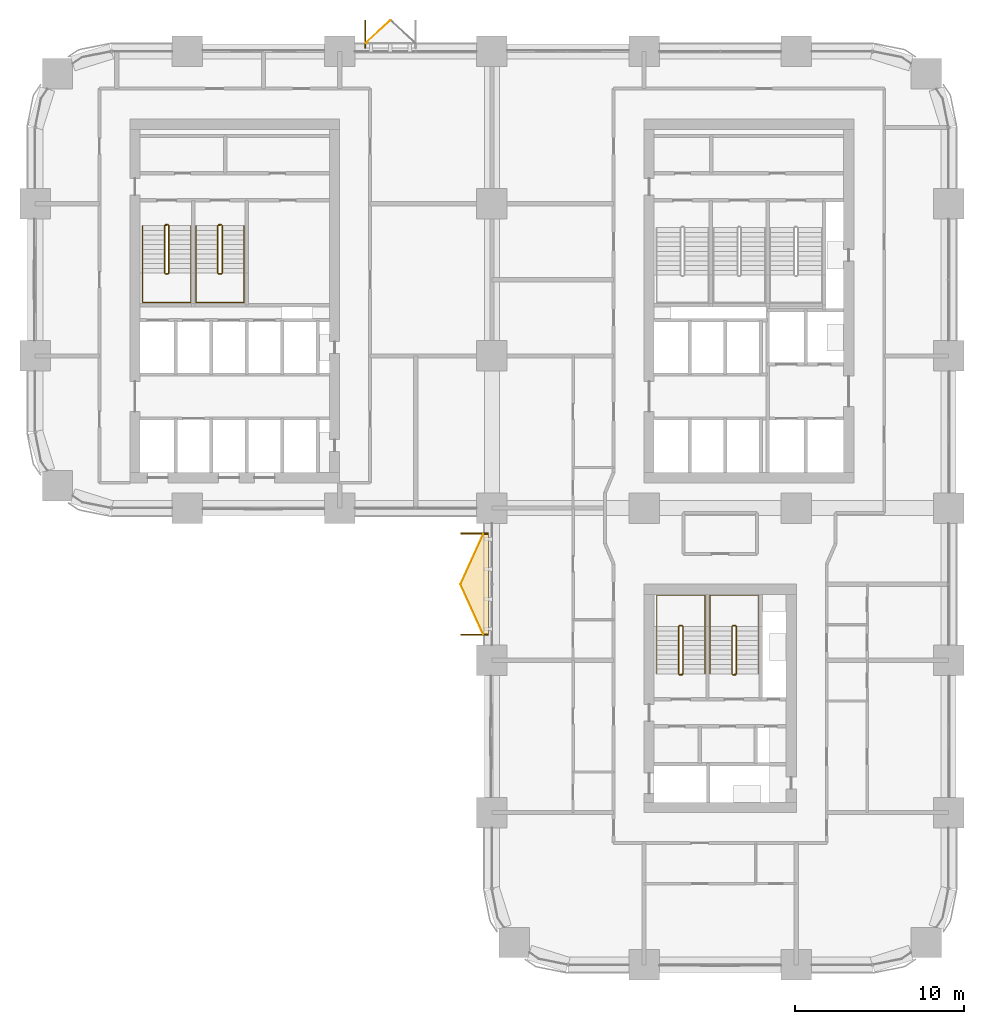
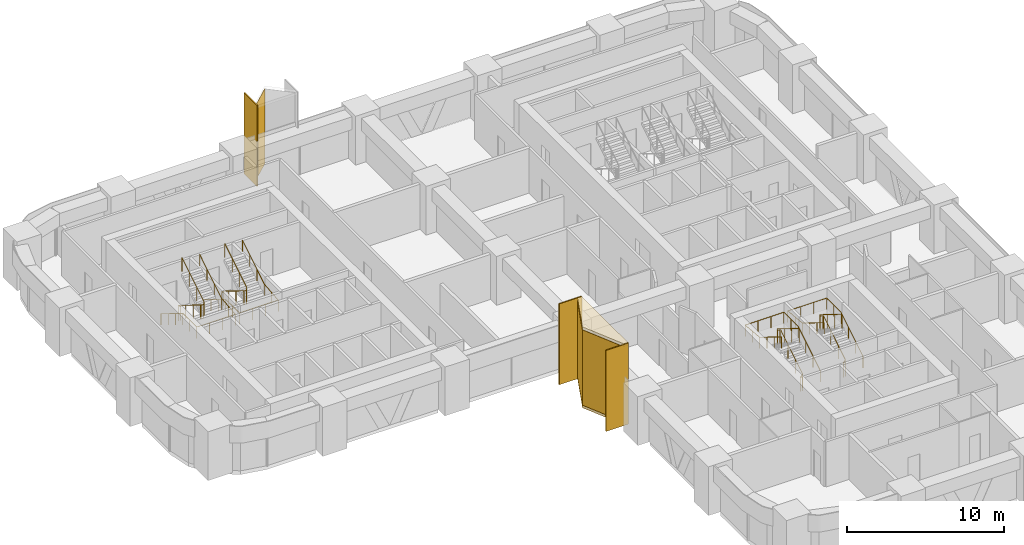
# One storey, part 17 of 18: 8 coverings, 8 railings.
"""IFC4 building model written with IfcOpenShell, lengths in metres."""

from ifc_helpers import new_model, si_unit, direction, frame, origin, origin_2d, place, context, subcontext, project, spatial, polyline, rectangle, circle, outline, extrude, material, layer, layer_set, type_object, element, save


model = new_model("IFC4")

# Units and contexts
model_context = context("Model", 3, precision=1e-05, world=origin(), true_north=direction((0.0, 1.0)))
body_context = subcontext(model_context, "Body", "Model", "MODEL_VIEW")
ifc_project = project(units=[si_unit("LENGTHUNIT", "METRE"), si_unit("AREAUNIT", "SQUARE_METRE"), si_unit("VOLUMEUNIT", "CUBIC_METRE"), si_unit("PLANEANGLEUNIT", "RADIAN"), si_unit("MASSUNIT", "GRAM", prefix="KILO")], contexts=[model_context])

# Site, building, storey
site_placement = place(None, origin())
site = spatial("IfcSite", under=ifc_project, at=site_placement, CompositionType="ELEMENT")
building_placement = place(site_placement, origin())
building = spatial("IfcBuilding", under=site, at=building_placement, Name="Tessera Arch", CompositionType="ELEMENT")
storey_placement = place(building_placement, frame((0.0, 0.0, 100.60009765625)))
storey = spatial("IfcBuildingStorey", under=building, at=storey_placement, Name="L23", CompositionType="ELEMENT", Elevation=100.60009765625)

# Railings
ifc_material_1 = material(Name="Painted steel balustrade", Category="steel")
railing_type_1 = type_object("IfcRailingType", Name="Stair guard 1100", PredefinedType="GUARDRAIL", material=ifc_material_1)
railing_1_placement = place(storey_placement, frame((7.699951171875, 43.75, 0.0)))
element("IfcRailing", 1, at=railing_1_placement, inside=storey, type_object=railing_type_1, Name="L23 S2a stair guard 1", PredefinedType="GUARDRAIL", context=body_context, shape_type="SweptSolid", body=[
    extrude(circle(Radius=0.02392578125, at=origin_2d()), frame((-0.00390625, 0.0, 1.076171875), z_axis=(1.0, 0.0, 0.0), x_axis=(0.0, 1.0, 0.0)), (0.0, 0.0, 1.0), 0.158203125),
    extrude(circle(Radius=0.02392578125, at=origin_2d()), frame((0.153076171875, 0.000732421875, 1.073486328125), z_axis=(-0.744141464035, -0.186035366009, 0.641595140332), x_axis=(0.242535625036, -0.970142500145, 0.0)), (0.0, 0.0, 1.0), 0.277099609375),
    extrude(circle(Radius=0.02392578125, at=origin_2d()), frame((-0.050048828125, -0.046630859375, 1.24658203125), z_axis=(0.0, -0.851089632645, 0.525020415988), x_axis=(1.0, 0.0, 0.0)), (0.0, 0.0, 1.0), 3.2978515625),
    extrude(circle(Radius=0.02392578125, at=origin_2d()), frame((-0.052978515625, -2.84716796875, 2.97607421875), z_axis=(0.708833529934, -0.705375805398, 0.0), x_axis=(0.705375805398, 0.708833529934, 0.0)), (0.0, 0.0, 1.0), 0.07861328125),
    extrude(circle(Radius=0.02392578125, at=origin_2d()), frame((-0.00390625, -2.89990234375, 2.97607421875), z_axis=(1.0, 0.0, 0.0), x_axis=(0.0, 1.0, 0.0)), (0.0, 0.0, 1.0), 0.158203125),
    extrude(circle(Radius=0.02392578125, at=origin_2d()), frame((0.149169921875, -2.90087890625, 2.97216796875), z_axis=(0.26715648603, 0.26715648603, 0.925880566782), x_axis=(-0.707106781187, 0.707106781187, 0.0)), (0.0, 0.0, 1.0), 0.1943359375),
    extrude(circle(Radius=0.02392578125, at=origin_2d()), frame((0.199951171875, -2.853515625, 3.146484375), z_axis=(0.0, 0.851089632645, 0.525020415988), x_axis=(-1.0, 0.0, 0.0)), (0.0, 0.0, 1.0), 3.2978515625),
    extrude(circle(Radius=0.02099609375, at=origin_2d()), origin(), (0.0, 0.0, 1.0), 1.06396484375),
    extrude(circle(Radius=0.02099609375, at=origin_2d()), frame((0.150146484375, 0.0, 0.0)), (0.0, 0.0, 1.0), 1.06396484375),
    extrude(circle(Radius=0.02099609375, at=origin_2d()), frame((-0.050048828125, -0.050048828125, 0.172607421875)), (0.0, 0.0, 1.0), 1.06396484375),
    extrude(circle(Radius=0.02099609375, at=origin_2d()), frame((-0.050048828125, -0.9833984375, 0.748291015625)), (0.0, 0.0, 1.0), 1.06396484375),
    extrude(circle(Radius=0.02099609375, at=origin_2d()), frame((-0.050048828125, -1.916748046875, 1.32421875)), (0.0, 0.0, 1.0), 1.06396484375),
    extrude(circle(Radius=0.02099609375, at=origin_2d()), frame((-0.050048828125, -2.85009765625, 1.89990234375)), (0.0, 0.0, 1.0), 1.06396484375),
    extrude(circle(Radius=0.02099609375, at=origin_2d()), frame((0.0, -2.89990234375, 1.89990234375)), (0.0, 0.0, 1.0), 1.06396484375),
    extrude(circle(Radius=0.02099609375, at=origin_2d()), frame((0.150146484375, -2.89990234375, 1.89990234375)), (0.0, 0.0, 1.0), 1.06396484375),
    extrude(circle(Radius=0.02099609375, at=origin_2d()), frame((0.199951171875, -2.85009765625, 2.072509765625)), (0.0, 0.0, 1.0), 1.06396484375),
    extrude(circle(Radius=0.02099609375, at=origin_2d()), frame((0.199951171875, -1.916748046875, 2.648193359375)), (0.0, 0.0, 1.0), 1.06396484375),
    extrude(circle(Radius=0.02099609375, at=origin_2d()), frame((0.199951171875, -0.9833984375, 3.22412109375)), (0.0, 0.0, 1.0), 1.06396484375),
    extrude(circle(Radius=0.02099609375, at=origin_2d()), frame((0.199951171875, -0.050048828125, 3.7998046875)), (0.0, 0.0, 1.0), 1.06396484375),
])
railing_2_placement = place(storey_placement, frame((10.85009765625, 43.75, 0.0)))
element("IfcRailing", 2, at=railing_2_placement, inside=storey, type_object=railing_type_1, Name="L23 S2b stair guard 1", PredefinedType="GUARDRAIL", context=body_context, shape_type="SweptSolid", body=[
    extrude(circle(Radius=0.02392578125, at=origin_2d()), frame((-0.00390625, 0.0, 1.076171875), z_axis=(1.0, 0.0, 0.0), x_axis=(0.0, 1.0, 0.0)), (0.0, 0.0, 1.0), 0.157958984375),
    extrude(circle(Radius=0.02392578125, at=origin_2d()), frame((0.15283203125, 0.000732421875, 1.073486328125), z_axis=(-0.743736083135, -0.18616104645, 0.642028584587), x_axis=(0.242814311512, -0.970072785993, 0.0)), (0.0, 0.0, 1.0), 0.27685546875),
    extrude(circle(Radius=0.02392578125, at=origin_2d()), frame((-0.050048828125, -0.046630859375, 1.24658203125), z_axis=(0.0, -0.851089632645, 0.525020415988), x_axis=(1.0, 0.0, 0.0)), (0.0, 0.0, 1.0), 3.2978515625),
    extrude(circle(Radius=0.02392578125, at=origin_2d()), frame((-0.052978515625, -2.84716796875, 2.97607421875), z_axis=(0.708833529934, -0.705375805398, 0.0), x_axis=(0.705375805398, 0.708833529934, 0.0)), (0.0, 0.0, 1.0), 0.07861328125),
    extrude(circle(Radius=0.02392578125, at=origin_2d()), frame((-0.00390625, -2.89990234375, 2.97607421875), z_axis=(1.0, 0.0, 0.0), x_axis=(0.0, 1.0, 0.0)), (0.0, 0.0, 1.0), 0.157958984375),
    extrude(circle(Radius=0.02392578125, at=origin_2d()), frame((0.14892578125, -2.90087890625, 2.97216796875), z_axis=(0.268371968888, 0.267062837333, 0.925556009775), x_axis=(-0.705375805398, 0.708833529934, 0.0)), (0.0, 0.0, 1.0), 0.194580078125),
    extrude(circle(Radius=0.02392578125, at=origin_2d()), frame((0.199951171875, -2.853515625, 3.146484375), z_axis=(0.0, 0.851089632645, 0.525020415988), x_axis=(-1.0, 0.0, 0.0)), (0.0, 0.0, 1.0), 3.2978515625),
    extrude(circle(Radius=0.02099609375, at=origin_2d()), origin(), (0.0, 0.0, 1.0), 1.06396484375),
    extrude(circle(Radius=0.02099609375, at=origin_2d()), frame((0.14990234375, 0.0, 0.0)), (0.0, 0.0, 1.0), 1.06396484375),
    extrude(circle(Radius=0.02099609375, at=origin_2d()), frame((-0.050048828125, -0.050048828125, 0.172607421875)), (0.0, 0.0, 1.0), 1.06396484375),
    extrude(circle(Radius=0.02099609375, at=origin_2d()), frame((-0.050048828125, -0.9833984375, 0.748291015625)), (0.0, 0.0, 1.0), 1.06396484375),
    extrude(circle(Radius=0.02099609375, at=origin_2d()), frame((-0.050048828125, -1.916748046875, 1.32421875)), (0.0, 0.0, 1.0), 1.06396484375),
    extrude(circle(Radius=0.02099609375, at=origin_2d()), frame((-0.050048828125, -2.85009765625, 1.89990234375)), (0.0, 0.0, 1.0), 1.06396484375),
    extrude(circle(Radius=0.02099609375, at=origin_2d()), frame((0.0, -2.89990234375, 1.89990234375)), (0.0, 0.0, 1.0), 1.06396484375),
    extrude(circle(Radius=0.02099609375, at=origin_2d()), frame((0.14990234375, -2.89990234375, 1.89990234375)), (0.0, 0.0, 1.0), 1.06396484375),
    extrude(circle(Radius=0.02099609375, at=origin_2d()), frame((0.199951171875, -2.85009765625, 2.072509765625)), (0.0, 0.0, 1.0), 1.06396484375),
    extrude(circle(Radius=0.02099609375, at=origin_2d()), frame((0.199951171875, -1.916748046875, 2.648193359375)), (0.0, 0.0, 1.0), 1.06396484375),
    extrude(circle(Radius=0.02099609375, at=origin_2d()), frame((0.199951171875, -0.9833984375, 3.22412109375)), (0.0, 0.0, 1.0), 1.06396484375),
    extrude(circle(Radius=0.02099609375, at=origin_2d()), frame((0.199951171875, -0.050048828125, 3.7998046875)), (0.0, 0.0, 1.0), 1.06396484375),
])
railing_3_placement = place(storey_placement, frame((38.25, 17.14990234375, 0.0)))
element("IfcRailing", 3, at=railing_3_placement, inside=storey, type_object=railing_type_1, Name="L23 S3a stair guard 1", PredefinedType="GUARDRAIL", context=body_context, shape_type="SweptSolid", body=[
    extrude(circle(Radius=0.02392578125, at=origin_2d()), frame((0.00390625, 0.0, 1.076171875), z_axis=(-1.0, 0.0, 0.0), x_axis=(0.0, -1.0, 0.0)), (0.0, 0.0, 1.0), 0.157958984375),
    extrude(circle(Radius=0.02392578125, at=origin_2d()), frame((-0.15283203125, -0.000732421875, 1.073486328125), z_axis=(0.743736083135, 0.18616104645, 0.642028584587), x_axis=(-0.242814311512, 0.970072785993, 0.0)), (0.0, 0.0, 1.0), 0.27685546875),
    extrude(circle(Radius=0.02392578125, at=origin_2d()), frame((0.050048828125, 0.046630859375, 1.24658203125), z_axis=(0.0, 0.851089632645, 0.525020415988), x_axis=(-1.0, 0.0, 0.0)), (0.0, 0.0, 1.0), 3.2978515625),
    extrude(circle(Radius=0.02392578125, at=origin_2d()), frame((0.052978515625, 2.84716796875, 2.97607421875), z_axis=(-0.707106781187, 0.707106781187, 0.0), x_axis=(-0.707106781187, -0.707106781187, 0.0)), (0.0, 0.0, 1.0), 0.078857421875),
    extrude(circle(Radius=0.02392578125, at=origin_2d()), frame((0.00390625, 2.900146484375, 2.97607421875), z_axis=(-1.0, 0.0, 0.0), x_axis=(0.0, -1.0, 0.0)), (0.0, 0.0, 1.0), 0.157958984375),
    extrude(circle(Radius=0.02392578125, at=origin_2d()), frame((-0.14892578125, 2.901123046875, 2.97216796875), z_axis=(-0.268277960024, -0.268277960024, 0.925231793839), x_axis=(0.707106781187, -0.707106781187, 0.0)), (0.0, 0.0, 1.0), 0.194580078125),
    extrude(circle(Radius=0.02392578125, at=origin_2d()), frame((-0.199951171875, 2.853515625, 3.146484375), z_axis=(0.0, -0.851089632645, 0.525020415988), x_axis=(1.0, 0.0, 0.0)), (0.0, 0.0, 1.0), 3.2978515625),
    extrude(circle(Radius=0.02099609375, at=origin_2d()), origin(), (0.0, 0.0, 1.0), 1.06396484375),
    extrude(circle(Radius=0.02099609375, at=origin_2d()), frame((-0.14990234375, 0.0, 0.0)), (0.0, 0.0, 1.0), 1.06396484375),
    extrude(circle(Radius=0.02099609375, at=origin_2d()), frame((0.050048828125, 0.050048828125, 0.172607421875)), (0.0, 0.0, 1.0), 1.06396484375),
    extrude(circle(Radius=0.02099609375, at=origin_2d()), frame((0.050048828125, 0.9833984375, 0.748291015625)), (0.0, 0.0, 1.0), 1.06396484375),
    extrude(circle(Radius=0.02099609375, at=origin_2d()), frame((0.050048828125, 1.916748046875, 1.32421875)), (0.0, 0.0, 1.0), 1.06396484375),
    extrude(circle(Radius=0.02099609375, at=origin_2d()), frame((0.050048828125, 2.85009765625, 1.89990234375)), (0.0, 0.0, 1.0), 1.06396484375),
    extrude(circle(Radius=0.02099609375, at=origin_2d()), frame((0.0, 2.900146484375, 1.89990234375)), (0.0, 0.0, 1.0), 1.06396484375),
    extrude(circle(Radius=0.02099609375, at=origin_2d()), frame((-0.14990234375, 2.900146484375, 1.89990234375)), (0.0, 0.0, 1.0), 1.06396484375),
    extrude(circle(Radius=0.02099609375, at=origin_2d()), frame((-0.199951171875, 2.85009765625, 2.072509765625)), (0.0, 0.0, 1.0), 1.06396484375),
    extrude(circle(Radius=0.02099609375, at=origin_2d()), frame((-0.199951171875, 1.916748046875, 2.648193359375)), (0.0, 0.0, 1.0), 1.06396484375),
    extrude(circle(Radius=0.02099609375, at=origin_2d()), frame((-0.199951171875, 0.9833984375, 3.22412109375)), (0.0, 0.0, 1.0), 1.06396484375),
    extrude(circle(Radius=0.02099609375, at=origin_2d()), frame((-0.199951171875, 0.050048828125, 3.7998046875)), (0.0, 0.0, 1.0), 1.06396484375),
])
railing_4_placement = place(storey_placement, frame((41.39990234375, 17.14990234375, 0.0)))
element("IfcRailing", 4, at=railing_4_placement, inside=storey, type_object=railing_type_1, Name="L23 S3b stair guard 1", PredefinedType="GUARDRAIL", context=body_context, shape_type="SweptSolid", body=[
    extrude(circle(Radius=0.02392578125, at=origin_2d()), frame((0.00390625, 0.0, 1.076171875), z_axis=(-1.0, 0.0, 0.0), x_axis=(0.0, -1.0, 0.0)), (0.0, 0.0, 1.0), 0.157958984375),
    extrude(circle(Radius=0.02392578125, at=origin_2d()), frame((-0.15283203125, -0.000732421875, 1.073486328125), z_axis=(0.743736083135, 0.18616104645, 0.642028584587), x_axis=(-0.242814311512, 0.970072785993, 0.0)), (0.0, 0.0, 1.0), 0.27685546875),
    extrude(circle(Radius=0.02392578125, at=origin_2d()), frame((0.050048828125, 0.046630859375, 1.24658203125), z_axis=(0.0, 0.851089632645, 0.525020415988), x_axis=(-1.0, 0.0, 0.0)), (0.0, 0.0, 1.0), 3.2978515625),
    extrude(circle(Radius=0.02392578125, at=origin_2d()), frame((0.052978515625, 2.84716796875, 2.97607421875), z_axis=(-0.707106781187, 0.707106781187, 0.0), x_axis=(-0.707106781187, -0.707106781187, 0.0)), (0.0, 0.0, 1.0), 0.078857421875),
    extrude(circle(Radius=0.02392578125, at=origin_2d()), frame((0.00390625, 2.900146484375, 2.97607421875), z_axis=(-1.0, 0.0, 0.0), x_axis=(0.0, -1.0, 0.0)), (0.0, 0.0, 1.0), 0.157958984375),
    extrude(circle(Radius=0.02392578125, at=origin_2d()), frame((-0.14892578125, 2.901123046875, 2.97216796875), z_axis=(-0.268277960024, -0.268277960024, 0.925231793839), x_axis=(0.707106781187, -0.707106781187, 0.0)), (0.0, 0.0, 1.0), 0.194580078125),
    extrude(circle(Radius=0.02392578125, at=origin_2d()), frame((-0.199951171875, 2.853515625, 3.146484375), z_axis=(0.0, -0.851089632645, 0.525020415988), x_axis=(1.0, 0.0, 0.0)), (0.0, 0.0, 1.0), 3.2978515625),
    extrude(circle(Radius=0.02099609375, at=origin_2d()), origin(), (0.0, 0.0, 1.0), 1.06396484375),
    extrude(circle(Radius=0.02099609375, at=origin_2d()), frame((-0.14990234375, 0.0, 0.0)), (0.0, 0.0, 1.0), 1.06396484375),
    extrude(circle(Radius=0.02099609375, at=origin_2d()), frame((0.050048828125, 0.050048828125, 0.172607421875)), (0.0, 0.0, 1.0), 1.06396484375),
    extrude(circle(Radius=0.02099609375, at=origin_2d()), frame((0.050048828125, 0.9833984375, 0.748291015625)), (0.0, 0.0, 1.0), 1.06396484375),
    extrude(circle(Radius=0.02099609375, at=origin_2d()), frame((0.050048828125, 1.916748046875, 1.32421875)), (0.0, 0.0, 1.0), 1.06396484375),
    extrude(circle(Radius=0.02099609375, at=origin_2d()), frame((0.050048828125, 2.85009765625, 1.89990234375)), (0.0, 0.0, 1.0), 1.06396484375),
    extrude(circle(Radius=0.02099609375, at=origin_2d()), frame((0.0, 2.900146484375, 1.89990234375)), (0.0, 0.0, 1.0), 1.06396484375),
    extrude(circle(Radius=0.02099609375, at=origin_2d()), frame((-0.14990234375, 2.900146484375, 1.89990234375)), (0.0, 0.0, 1.0), 1.06396484375),
    extrude(circle(Radius=0.02099609375, at=origin_2d()), frame((-0.199951171875, 2.85009765625, 2.072509765625)), (0.0, 0.0, 1.0), 1.06396484375),
    extrude(circle(Radius=0.02099609375, at=origin_2d()), frame((-0.199951171875, 1.916748046875, 2.648193359375)), (0.0, 0.0, 1.0), 1.06396484375),
    extrude(circle(Radius=0.02099609375, at=origin_2d()), frame((-0.199951171875, 0.9833984375, 3.22412109375)), (0.0, 0.0, 1.0), 1.06396484375),
    extrude(circle(Radius=0.02099609375, at=origin_2d()), frame((-0.199951171875, 0.050048828125, 3.7998046875)), (0.0, 0.0, 1.0), 1.06396484375),
])
ifc_material_2 = material(Name="Painted steel handrail", Category="steel")
railing_type_2 = type_object("IfcRailingType", Name="Stair handrail 900", PredefinedType="HANDRAIL", material=ifc_material_2)
railing_5_placement = place(storey_placement, frame((6.35009765625, 43.699951171875, 0.172607421875)))
element("IfcRailing", 5, at=railing_5_placement, inside=storey, type_object=railing_type_2, Name="L23 S2a stair handrail", PredefinedType="HANDRAIL", context=body_context, shape_type="SweptSolid", body=[
    extrude(circle(Radius=0.02392578125, at=origin_2d()), frame((0.0, 0.00341796875, 0.873779296875), z_axis=(0.0, -0.851089632645, 0.525020415988), x_axis=(1.0, 0.0, 0.0)), (0.0, 0.0, 1.0), 3.2978515625),
    extrude(circle(Radius=0.02392578125, at=origin_2d()), frame((0.0, -2.796142578125, 2.60302734375), z_axis=(0.0, -1.0, 0.0), x_axis=(1.0, 0.0, 0.0)), (0.0, 0.0, 1.0), 1.758056640625),
    extrude(circle(Radius=0.02392578125, at=origin_2d()), frame((-0.00390625, -4.550048828125, 2.60302734375), z_axis=(1.0, 0.0, 0.0), x_axis=(0.0, 1.0, 0.0)), (0.0, 0.0, 1.0), 2.85791015625),
    extrude(circle(Radius=0.02392578125, at=origin_2d()), frame((2.849853515625, -4.553955078125, 2.602783203125), z_axis=(0.0, 0.995170989745, 0.098156513637), x_axis=(-1.0, 0.0, 0.0)), (0.0, 0.0, 1.0), 1.7666015625),
    extrude(circle(Radius=0.02392578125, at=origin_2d()), frame((2.849853515625, -2.803466796875, 2.773681640625), z_axis=(0.0, 0.851089632645, 0.525020415988), x_axis=(-1.0, 0.0, 0.0)), (0.0, 0.0, 1.0), 3.2978515625),
    extrude(circle(Radius=0.02099609375, at=origin_2d()), origin(), (0.0, 0.0, 1.0), 0.86376953125),
    extrude(circle(Radius=0.02099609375, at=origin_2d()), frame((0.0, -0.933349609375, 0.57568359375)), (0.0, 0.0, 1.0), 0.86376953125),
    extrude(circle(Radius=0.02099609375, at=origin_2d()), frame((0.0, -1.86669921875, 1.151611328125)), (0.0, 0.0, 1.0), 0.86376953125),
    extrude(circle(Radius=0.02099609375, at=origin_2d()), frame((0.0, -2.800048828125, 1.727294921875)), (0.0, 0.0, 1.0), 0.86376953125),
    extrude(circle(Radius=0.02099609375, at=origin_2d()), frame((0.0, -3.675048828125, 1.727294921875)), (0.0, 0.0, 1.0), 0.86376953125),
    extrude(circle(Radius=0.02099609375, at=origin_2d()), frame((0.0, -4.550048828125, 1.727294921875)), (0.0, 0.0, 1.0), 0.86376953125),
    extrude(circle(Radius=0.02099609375, at=origin_2d()), frame((0.949951171875, -4.550048828125, 1.727294921875)), (0.0, 0.0, 1.0), 0.86376953125),
    extrude(circle(Radius=0.02099609375, at=origin_2d()), frame((1.89990234375, -4.550048828125, 1.727294921875)), (0.0, 0.0, 1.0), 0.86376953125),
    extrude(circle(Radius=0.02099609375, at=origin_2d()), frame((2.849853515625, -4.550048828125, 1.727294921875)), (0.0, 0.0, 1.0), 0.86376953125),
    extrude(circle(Radius=0.02099609375, at=origin_2d()), frame((2.849853515625, -3.675048828125, 1.8134765625)), (0.0, 0.0, 1.0), 0.86376953125),
    extrude(circle(Radius=0.02099609375, at=origin_2d()), frame((2.849853515625, -2.800048828125, 1.89990234375)), (0.0, 0.0, 1.0), 0.86376953125),
    extrude(circle(Radius=0.02099609375, at=origin_2d()), frame((2.849853515625, -1.86669921875, 2.4755859375)), (0.0, 0.0, 1.0), 0.86376953125),
    extrude(circle(Radius=0.02099609375, at=origin_2d()), frame((2.849853515625, -0.933349609375, 3.051513671875)), (0.0, 0.0, 1.0), 0.86376953125),
    extrude(circle(Radius=0.02099609375, at=origin_2d()), frame((2.849853515625, 0.0, 3.627197265625)), (0.0, 0.0, 1.0), 0.86376953125),
])
railing_6_placement = place(storey_placement, frame((9.5, 43.699951171875, 0.172607421875)))
element("IfcRailing", 6, at=railing_6_placement, inside=storey, type_object=railing_type_2, Name="L23 S2b stair handrail", PredefinedType="HANDRAIL", context=body_context, shape_type="SweptSolid", body=[
    extrude(circle(Radius=0.02392578125, at=origin_2d()), frame((0.0, 0.00341796875, 0.873779296875), z_axis=(0.0, -0.851089632645, 0.525020415988), x_axis=(1.0, 0.0, 0.0)), (0.0, 0.0, 1.0), 3.2978515625),
    extrude(circle(Radius=0.02392578125, at=origin_2d()), frame((0.0, -2.796142578125, 2.60302734375), z_axis=(0.0, -1.0, 0.0), x_axis=(1.0, 0.0, 0.0)), (0.0, 0.0, 1.0), 1.758056640625),
    extrude(circle(Radius=0.02392578125, at=origin_2d()), frame((-0.00390625, -4.550048828125, 2.60302734375), z_axis=(1.0, 0.0, 0.0), x_axis=(0.0, 1.0, 0.0)), (0.0, 0.0, 1.0), 2.858154296875),
    extrude(circle(Radius=0.02392578125, at=origin_2d()), frame((2.85009765625, -4.553955078125, 2.602783203125), z_axis=(0.0, 0.995170989745, 0.098156513637), x_axis=(-1.0, 0.0, 0.0)), (0.0, 0.0, 1.0), 1.7666015625),
    extrude(circle(Radius=0.02392578125, at=origin_2d()), frame((2.85009765625, -2.803466796875, 2.773681640625), z_axis=(0.0, 0.851089632645, 0.525020415988), x_axis=(-1.0, 0.0, 0.0)), (0.0, 0.0, 1.0), 3.2978515625),
    extrude(circle(Radius=0.02099609375, at=origin_2d()), origin(), (0.0, 0.0, 1.0), 0.86376953125),
    extrude(circle(Radius=0.02099609375, at=origin_2d()), frame((0.0, -0.933349609375, 0.57568359375)), (0.0, 0.0, 1.0), 0.86376953125),
    extrude(circle(Radius=0.02099609375, at=origin_2d()), frame((0.0, -1.86669921875, 1.151611328125)), (0.0, 0.0, 1.0), 0.86376953125),
    extrude(circle(Radius=0.02099609375, at=origin_2d()), frame((0.0, -2.800048828125, 1.727294921875)), (0.0, 0.0, 1.0), 0.86376953125),
    extrude(circle(Radius=0.02099609375, at=origin_2d()), frame((0.0, -3.675048828125, 1.727294921875)), (0.0, 0.0, 1.0), 0.86376953125),
    extrude(circle(Radius=0.02099609375, at=origin_2d()), frame((0.0, -4.550048828125, 1.727294921875)), (0.0, 0.0, 1.0), 0.86376953125),
    extrude(circle(Radius=0.02099609375, at=origin_2d()), frame((0.949951171875, -4.550048828125, 1.727294921875)), (0.0, 0.0, 1.0), 0.86376953125),
    extrude(circle(Radius=0.02099609375, at=origin_2d()), frame((1.900146484375, -4.550048828125, 1.727294921875)), (0.0, 0.0, 1.0), 0.86376953125),
    extrude(circle(Radius=0.02099609375, at=origin_2d()), frame((2.85009765625, -4.550048828125, 1.727294921875)), (0.0, 0.0, 1.0), 0.86376953125),
    extrude(circle(Radius=0.02099609375, at=origin_2d()), frame((2.85009765625, -3.675048828125, 1.8134765625)), (0.0, 0.0, 1.0), 0.86376953125),
    extrude(circle(Radius=0.02099609375, at=origin_2d()), frame((2.85009765625, -2.800048828125, 1.89990234375)), (0.0, 0.0, 1.0), 0.86376953125),
    extrude(circle(Radius=0.02099609375, at=origin_2d()), frame((2.85009765625, -1.86669921875, 2.4755859375)), (0.0, 0.0, 1.0), 0.86376953125),
    extrude(circle(Radius=0.02099609375, at=origin_2d()), frame((2.85009765625, -0.933349609375, 3.051513671875)), (0.0, 0.0, 1.0), 0.86376953125),
    extrude(circle(Radius=0.02099609375, at=origin_2d()), frame((2.85009765625, 0.0, 3.627197265625)), (0.0, 0.0, 1.0), 0.86376953125),
])
railing_7_placement = place(storey_placement, frame((39.60009765625, 17.199951171875, 0.172607421875)))
element("IfcRailing", 7, at=railing_7_placement, inside=storey, type_object=railing_type_2, Name="L23 S3a stair handrail", PredefinedType="HANDRAIL", context=body_context, shape_type="SweptSolid", body=[
    extrude(circle(Radius=0.02392578125, at=origin_2d()), frame((0.0, -0.00341796875, 0.873779296875), z_axis=(0.0, 0.851089632645, 0.525020415988), x_axis=(-1.0, 0.0, 0.0)), (0.0, 0.0, 1.0), 3.2978515625),
    extrude(circle(Radius=0.02392578125, at=origin_2d()), frame((0.0, 2.796142578125, 2.60302734375), z_axis=(0.0, 1.0, 0.0), x_axis=(-1.0, 0.0, 0.0)), (0.0, 0.0, 1.0), 1.858154296875),
    extrude(circle(Radius=0.02392578125, at=origin_2d()), frame((0.00390625, 4.650146484375, 2.60302734375), z_axis=(-1.0, 0.0, 0.0), x_axis=(0.0, -1.0, 0.0)), (0.0, 0.0, 1.0), 2.858154296875),
    extrude(circle(Radius=0.02392578125, at=origin_2d()), frame((-2.85009765625, 4.654052734375, 2.602783203125), z_axis=(0.0, -0.995676099079, 0.092892979948), x_axis=(1.0, 0.0, 0.0)), (0.0, 0.0, 1.0), 1.8662109375),
    extrude(circle(Radius=0.02392578125, at=origin_2d()), frame((-2.85009765625, 2.803466796875, 2.773681640625), z_axis=(0.0, -0.851089632645, 0.525020415988), x_axis=(1.0, 0.0, 0.0)), (0.0, 0.0, 1.0), 3.2978515625),
    extrude(circle(Radius=0.02099609375, at=origin_2d()), origin(), (0.0, 0.0, 1.0), 0.86376953125),
    extrude(circle(Radius=0.02099609375, at=origin_2d()), frame((0.0, 0.933349609375, 0.57568359375)), (0.0, 0.0, 1.0), 0.86376953125),
    extrude(circle(Radius=0.02099609375, at=origin_2d()), frame((0.0, 1.86669921875, 1.151611328125)), (0.0, 0.0, 1.0), 0.86376953125),
    extrude(circle(Radius=0.02099609375, at=origin_2d()), frame((0.0, 2.800048828125, 1.727294921875)), (0.0, 0.0, 1.0), 0.86376953125),
    extrude(circle(Radius=0.02099609375, at=origin_2d()), frame((0.0, 3.72509765625, 1.727294921875)), (0.0, 0.0, 1.0), 0.86376953125),
    extrude(circle(Radius=0.02099609375, at=origin_2d()), frame((0.0, 4.650146484375, 1.727294921875)), (0.0, 0.0, 1.0), 0.86376953125),
    extrude(circle(Radius=0.02099609375, at=origin_2d()), frame((-0.949951171875, 4.650146484375, 1.727294921875)), (0.0, 0.0, 1.0), 0.86376953125),
    extrude(circle(Radius=0.02099609375, at=origin_2d()), frame((-1.900146484375, 4.650146484375, 1.727294921875)), (0.0, 0.0, 1.0), 0.86376953125),
    extrude(circle(Radius=0.02099609375, at=origin_2d()), frame((-2.85009765625, 4.650146484375, 1.727294921875)), (0.0, 0.0, 1.0), 0.86376953125),
    extrude(circle(Radius=0.02099609375, at=origin_2d()), frame((-2.85009765625, 3.72509765625, 1.8134765625)), (0.0, 0.0, 1.0), 0.86376953125),
    extrude(circle(Radius=0.02099609375, at=origin_2d()), frame((-2.85009765625, 2.800048828125, 1.89990234375)), (0.0, 0.0, 1.0), 0.86376953125),
    extrude(circle(Radius=0.02099609375, at=origin_2d()), frame((-2.85009765625, 1.86669921875, 2.4755859375)), (0.0, 0.0, 1.0), 0.86376953125),
    extrude(circle(Radius=0.02099609375, at=origin_2d()), frame((-2.85009765625, 0.933349609375, 3.051513671875)), (0.0, 0.0, 1.0), 0.86376953125),
    extrude(circle(Radius=0.02099609375, at=origin_2d()), frame((-2.85009765625, 0.0, 3.627197265625)), (0.0, 0.0, 1.0), 0.86376953125),
])
railing_8_placement = place(storey_placement, frame((42.75, 17.199951171875, 0.172607421875)))
element("IfcRailing", 8, at=railing_8_placement, inside=storey, type_object=railing_type_2, Name="L23 S3b stair handrail", PredefinedType="HANDRAIL", context=body_context, shape_type="SweptSolid", body=[
    extrude(circle(Radius=0.02392578125, at=origin_2d()), frame((0.0, -0.00341796875, 0.873779296875), z_axis=(0.0, 0.851089632645, 0.525020415988), x_axis=(-1.0, 0.0, 0.0)), (0.0, 0.0, 1.0), 3.2978515625),
    extrude(circle(Radius=0.02392578125, at=origin_2d()), frame((0.0, 2.796142578125, 2.60302734375), z_axis=(0.0, 1.0, 0.0), x_axis=(-1.0, 0.0, 0.0)), (0.0, 0.0, 1.0), 1.858154296875),
    extrude(circle(Radius=0.02392578125, at=origin_2d()), frame((0.00390625, 4.650146484375, 2.60302734375), z_axis=(-1.0, 0.0, 0.0), x_axis=(0.0, -1.0, 0.0)), (0.0, 0.0, 1.0), 2.858154296875),
    extrude(circle(Radius=0.02392578125, at=origin_2d()), frame((-2.85009765625, 4.654052734375, 2.602783203125), z_axis=(0.0, -0.995676099079, 0.092892979948), x_axis=(1.0, 0.0, 0.0)), (0.0, 0.0, 1.0), 1.8662109375),
    extrude(circle(Radius=0.02392578125, at=origin_2d()), frame((-2.85009765625, 2.803466796875, 2.773681640625), z_axis=(0.0, -0.851089632645, 0.525020415988), x_axis=(1.0, 0.0, 0.0)), (0.0, 0.0, 1.0), 3.2978515625),
    extrude(circle(Radius=0.02099609375, at=origin_2d()), origin(), (0.0, 0.0, 1.0), 0.86376953125),
    extrude(circle(Radius=0.02099609375, at=origin_2d()), frame((0.0, 0.933349609375, 0.57568359375)), (0.0, 0.0, 1.0), 0.86376953125),
    extrude(circle(Radius=0.02099609375, at=origin_2d()), frame((0.0, 1.86669921875, 1.151611328125)), (0.0, 0.0, 1.0), 0.86376953125),
    extrude(circle(Radius=0.02099609375, at=origin_2d()), frame((0.0, 2.800048828125, 1.727294921875)), (0.0, 0.0, 1.0), 0.86376953125),
    extrude(circle(Radius=0.02099609375, at=origin_2d()), frame((0.0, 3.72509765625, 1.727294921875)), (0.0, 0.0, 1.0), 0.86376953125),
    extrude(circle(Radius=0.02099609375, at=origin_2d()), frame((0.0, 4.650146484375, 1.727294921875)), (0.0, 0.0, 1.0), 0.86376953125),
    extrude(circle(Radius=0.02099609375, at=origin_2d()), frame((-0.949951171875, 4.650146484375, 1.727294921875)), (0.0, 0.0, 1.0), 0.86376953125),
    extrude(circle(Radius=0.02099609375, at=origin_2d()), frame((-1.900146484375, 4.650146484375, 1.727294921875)), (0.0, 0.0, 1.0), 0.86376953125),
    extrude(circle(Radius=0.02099609375, at=origin_2d()), frame((-2.85009765625, 4.650146484375, 1.727294921875)), (0.0, 0.0, 1.0), 0.86376953125),
    extrude(circle(Radius=0.02099609375, at=origin_2d()), frame((-2.85009765625, 3.72509765625, 1.8134765625)), (0.0, 0.0, 1.0), 0.86376953125),
    extrude(circle(Radius=0.02099609375, at=origin_2d()), frame((-2.85009765625, 2.800048828125, 1.89990234375)), (0.0, 0.0, 1.0), 0.86376953125),
    extrude(circle(Radius=0.02099609375, at=origin_2d()), frame((-2.85009765625, 1.86669921875, 2.4755859375)), (0.0, 0.0, 1.0), 0.86376953125),
    extrude(circle(Radius=0.02099609375, at=origin_2d()), frame((-2.85009765625, 0.933349609375, 3.051513671875)), (0.0, 0.0, 1.0), 0.86376953125),
    extrude(circle(Radius=0.02099609375, at=origin_2d()), frame((-2.85009765625, 0.0, 3.627197265625)), (0.0, 0.0, 1.0), 0.86376953125),
])

# Coverings
ifc_material_3 = material(Name="Anodised aluminium pale metal", Category="aluminium")
ifc_layer_1 = layer(ifc_material_3, 0.080078125)
ifc_layer_set_1 = layer_set([ifc_layer_1], Name="Window box cheek")
covering_type_1 = type_object("IfcCoveringType", Name="Window box cheek", PredefinedType="CLADDING", material=ifc_layer_set_1)
covering_1_placement = place(storey_placement, origin())
element("IfcCovering", 9, at=covering_1_placement, inside=storey, type_object=covering_type_1, Name="Window box N54.0/2.1 1x2 cheek", PredefinedType="CLADDING", context=body_context, shape_type="SweptSolid", body=[
    extrude(outline(polyline([(19.550048828125, 55.85009765625), (19.469970703125, 55.85009765625), (19.469970703125, 54.199951171875), (19.550048828125, 54.199951171875), (19.550048828125, 55.85009765625)])), origin(), (0.0, 0.0, 1.0), 6.2998046875),
])
covering_2_placement = place(storey_placement, origin())
element("IfcCovering", 10, at=covering_2_placement, inside=storey, type_object=covering_type_1, Name="Window box W27.0/0.0 2x2 cheek", PredefinedType="CLADDING", context=body_context, shape_type="SweptSolid", body=[
    extrude(outline(polyline([(25.14990234375, 25.530029296875), (25.14990234375, 25.449951171875), (26.800048828125, 25.449951171875), (26.800048828125, 25.530029296875), (25.14990234375, 25.530029296875)])), origin(), (0.0, 0.0, 1.0), 6.2998046875),
])
covering_3_placement = place(storey_placement, origin())
element("IfcCovering", 11, at=covering_3_placement, inside=storey, type_object=covering_type_1, Name="Window box W27.0/0.0 2x2 cheek", PredefinedType="CLADDING", context=body_context, shape_type="SweptSolid", body=[
    extrude(outline(polyline([(25.14990234375, 19.550048828125), (25.14990234375, 19.469970703125), (26.800048828125, 19.469970703125), (26.800048828125, 19.550048828125), (25.14990234375, 19.550048828125)])), origin(), (0.0, 0.0, 1.0), 6.2998046875),
])
ifc_material_4 = material(Name="Anodised aluminium gold", Category="aluminium")
ifc_layer_2 = layer(ifc_material_4, 0.219970703125)
ifc_layer_set_2 = layer_set([ifc_layer_2], Name="Window box frame plate gold")
covering_type_2 = type_object("IfcCoveringType", Name="Window box frame plate gold", PredefinedType="CLADDING", material=ifc_layer_set_2)
for number, where, name in (
    (12, (0.0, 0.0, 0.0), "Window box W27.0/0.0 2x2 floor"),
    (13, (0.0, 0.0, 6.079833984375), "Window box W27.0/0.0 2x2 roof"),
):
    element("IfcCovering", number, at=place(storey_placement, frame(where)), inside=storey, type_object=covering_type_2, Name=name, PredefinedType="CLADDING", context=body_context, shape_type="SweptSolid", body=[
        extrude(outline(polyline([(26.489990234375, 25.449951171875), (25.14990234375, 22.5), (26.489990234375, 19.550048828125), (26.800048828125, 19.550048828125), (26.800048828125, 25.449951171875), (26.489990234375, 25.449951171875)])), origin(), (0.0, 0.0, 1.0), 0.219970703125),
    ])
ifc_material_5 = material(Name="Anodised aluminium pale metal", Category="aluminium")
ifc_layer_3 = layer(ifc_material_5, 0.028076171875)
ifc_layer_set_3 = layer_set([ifc_layer_3], Name="Window box side panel")
covering_type_3 = type_object("IfcCoveringType", Name="Window box side panel", PredefinedType="CLADDING", material=ifc_layer_set_3)
covering_4_placement = place(storey_placement, frame((20.27490234375, 55.179931640625, 0.2197265625), z_axis=(0.0, 0.0, 1.0), x_axis=(0.734414958885, 0.678700720617, 0.0)))
element("IfcCovering", 14, at=covering_4_placement, inside=storey, type_object=covering_type_3, Name="Window box N54.0/2.1 1x2 side panel", PredefinedType="CLADDING", context=body_context, shape_type="SweptSolid", body=[
    extrude(rectangle(XDim=1.974365234375, YDim=0.028076171875, at=origin_2d()), origin(), (0.0, 0.0, 1.0), 5.860107421875),
])
for number, where, z_axis, x_axis, name in (
    (15, (25.820068359375, 23.97509765625, 0.2197265625), (0.0, 0.0, 1.0), (-0.413570397858, -0.910472144558, 0.0), "Window box W27.0/0.0 2x2 side panel"),
    (16, (25.820068359375, 21.02490234375, 0.2197265625), (0.0, 0.0, 1.0), (-0.413570397858, 0.910472144558, 0.0), "Window box W27.0/0.0 2x2 side panel"),
):
    element("IfcCovering", number, at=place(storey_placement, frame(where, z_axis=z_axis, x_axis=x_axis)), inside=storey, type_object=covering_type_3, Name=name, PredefinedType="CLADDING", context=body_context, shape_type="SweptSolid", body=[
        extrude(rectangle(XDim=3.239990234375, YDim=0.028076171875, at=origin_2d()), origin(), (0.0, 0.0, 1.0), 5.860107421875),
    ])

save(model, "model.ifc")
